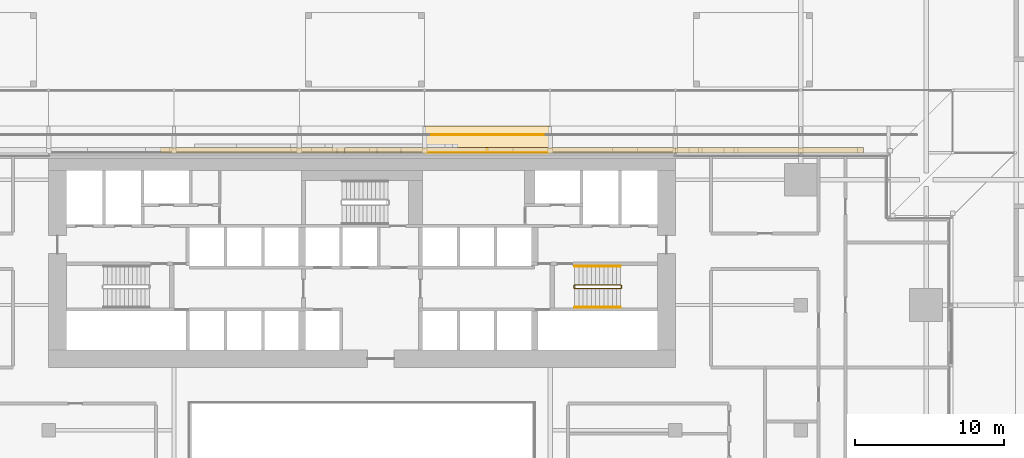
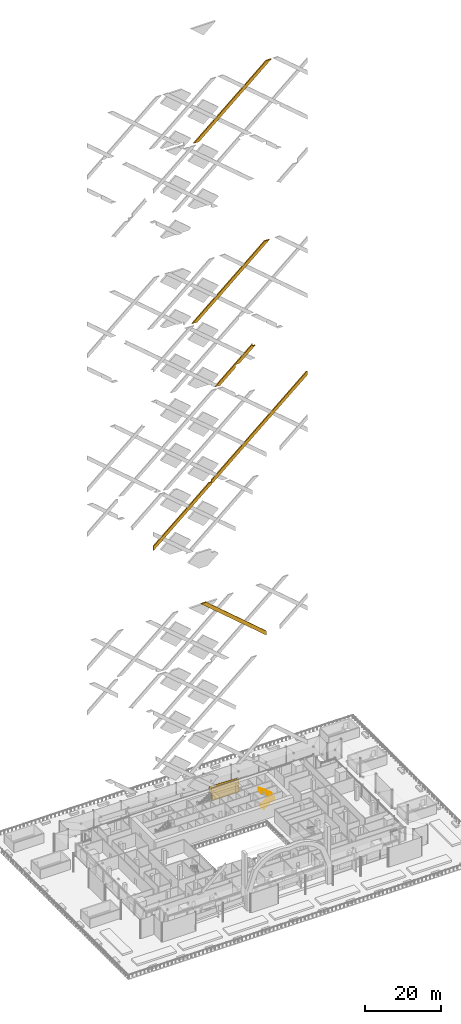
# One storey, part 50 of 60: 7 coverings, 4 railings.
"""IFC4 building model written with IfcOpenShell, lengths in metres."""

from ifc_helpers import new_model, si_unit, direction, frame, origin, origin_2d, place, context, subcontext, project, spatial, polyline, rectangle, circle, outline, extrude, material, layer, layer_set, type_object, element, save


model = new_model("IFC4")

# Units and contexts
model_context = context("Model", 3, precision=1e-05, world=origin(), true_north=direction((0.0, 1.0)))
body_context = subcontext(model_context, "Body", "Model", "MODEL_VIEW")
ifc_project = project(units=[si_unit("LENGTHUNIT", "METRE"), si_unit("AREAUNIT", "SQUARE_METRE"), si_unit("VOLUMEUNIT", "CUBIC_METRE"), si_unit("PLANEANGLEUNIT", "RADIAN"), si_unit("MASSUNIT", "GRAM", prefix="KILO")], contexts=[model_context])

# Site, building, storey
site_placement = place(None, origin())
site = spatial("IfcSite", under=ifc_project, at=site_placement, CompositionType="ELEMENT")
building_placement = place(site_placement, origin())
building = spatial("IfcBuilding", under=site, at=building_placement, Name="Saffron Gate Tower", CompositionType="ELEMENT")
storey_placement = place(building_placement, frame((0.0, 0.0, 19.199951171875)))
storey = spatial("IfcBuildingStorey", under=building, at=storey_placement, Name="L03", CompositionType="ELEMENT", Elevation=19.199951171875)

# Covering
ifc_material_1 = material(Name="Ceramic-printed bronze insulated panel")
ifc_layer_1 = layer(ifc_material_1, 0.0400390625)
ifc_layer_set_1 = layer_set([ifc_layer_1], Name="CLD1 ceramic-printed cladding panel 40")
covering_type_1 = type_object("IfcCoveringType", Name="CLD1 ceramic-printed cladding panel 40", PredefinedType="CLADDING", material=ifc_layer_set_1)
covering_1_placement = place(storey_placement, origin())
element("IfcCovering", 1, at=covering_1_placement, inside=storey, type_object=covering_type_1, Name="CLADDING ceramic-printed panel", PredefinedType="CLADDING", context=body_context, shape_type="SweptSolid", body=[
    extrude(outline(polyline([(100.159912109375, 75.639892578125), (91.840087890625, 75.639892578125), (91.840087890625, 75.60009765625), (100.159912109375, 75.60009765625), (100.159912109375, 75.639892578125)])), origin(), (0.0, 0.0, 1.0), 4.199951171875),
])

# Railings
ifc_material_2 = material(Name="Stainless steel and laminated glass", Category="steel")
railing_type_1 = type_object("IfcRailingType", Name="CR1 Stair guard 1100", PredefinedType="GUARDRAIL", material=ifc_material_2)
railing_1_placement = place(storey_placement, frame((101.800048828125, 66.699951171875, 0.0)))
element("IfcRailing", 2, at=railing_1_placement, inside=storey, type_object=railing_type_1, Name="L03 ST-B stair guard 1", PredefinedType="GUARDRAIL", context=body_context, shape_type="SweptSolid", body=[
    extrude(circle(Radius=0.02392578125, at=origin_2d()), frame((0.0, 0.0, 1.076171875), z_axis=(0.0, -1.0, 0.0), x_axis=(1.0, 0.0, 0.0)), (0.0, 0.0, 1.0), 0.14990234375),
    extrude(circle(Radius=0.02392578125, at=origin_2d()), frame((0.0, -0.14990234375, 1.076171875), z_axis=(0.249726431254, -0.249726431254, 0.935560483917), x_axis=(0.707106781187, 0.707106781187, 0.0)), (0.0, 0.0, 1.0), 0.200439453125),
    extrude(circle(Radius=0.02392578125, at=origin_2d()), frame((0.050048828125, -0.199951171875, 1.263671875), z_axis=(0.830893310487, 0.0, 0.556431762742), x_axis=(0.0, 1.0, 0.0)), (0.0, 0.0, 1.0), 3.70654296875),
    extrude(circle(Radius=0.02392578125, at=origin_2d()), frame((3.1298828125, -0.199951171875, 3.326171875), z_axis=(0.707106781187, 0.707106781187, 0.0), x_axis=(-0.707106781187, 0.707106781187, 0.0)), (0.0, 0.0, 1.0), 0.07080078125),
    extrude(circle(Radius=0.02392578125, at=origin_2d()), frame((3.179931640625, -0.14990234375, 3.326171875), z_axis=(0.0, 1.0, 0.0), x_axis=(-1.0, 0.0, 0.0)), (0.0, 0.0, 1.0), 0.14990234375),
    extrude(circle(Radius=0.02392578125, at=origin_2d()), frame((3.179931640625, 0.0, 3.326171875), z_axis=(-0.249726431254, 0.249726431254, 0.935560483917), x_axis=(-0.707106781187, -0.707106781187, 0.0)), (0.0, 0.0, 1.0), 0.200439453125),
    extrude(circle(Radius=0.02392578125, at=origin_2d()), frame((3.1298828125, 0.050048828125, 3.513671875), z_axis=(-0.830893310487, 0.0, 0.556431762742), x_axis=(0.0, -1.0, 0.0)), (0.0, 0.0, 1.0), 3.70654296875),
    extrude(circle(Radius=0.02099609375, at=origin_2d()), origin(), (0.0, 0.0, 1.0), 1.052001953125),
    extrude(circle(Radius=0.02099609375, at=origin_2d()), frame((0.0, -0.14990234375, 0.0)), (0.0, 0.0, 1.0), 1.052001953125),
    extrude(circle(Radius=0.02099609375, at=origin_2d()), frame((0.050048828125, -0.199951171875, 0.1875)), (0.0, 0.0, 1.0), 1.052001953125),
    extrude(circle(Radius=0.02099609375, at=origin_2d()), frame((0.820068359375, -0.199951171875, 0.703125)), (0.0, 0.0, 1.0), 1.052001953125),
    extrude(circle(Radius=0.02099609375, at=origin_2d()), frame((1.58984375, -0.199951171875, 1.21875)), (0.0, 0.0, 1.0), 1.052001953125),
    extrude(circle(Radius=0.02099609375, at=origin_2d()), frame((2.35986328125, -0.199951171875, 1.734375)), (0.0, 0.0, 1.0), 1.052001953125),
    extrude(circle(Radius=0.02099609375, at=origin_2d()), frame((3.1298828125, -0.199951171875, 2.25)), (0.0, 0.0, 1.0), 1.052001953125),
    extrude(circle(Radius=0.02099609375, at=origin_2d()), frame((3.179931640625, -0.14990234375, 2.25)), (0.0, 0.0, 1.0), 1.052001953125),
    extrude(circle(Radius=0.02099609375, at=origin_2d()), frame((3.179931640625, 0.0, 2.25)), (0.0, 0.0, 1.0), 1.052001953125),
    extrude(circle(Radius=0.02099609375, at=origin_2d()), frame((3.1298828125, 0.050048828125, 2.4375)), (0.0, 0.0, 1.0), 1.052001953125),
    extrude(circle(Radius=0.02099609375, at=origin_2d()), frame((2.35986328125, 0.050048828125, 2.953125)), (0.0, 0.0, 1.0), 1.052001953125),
    extrude(circle(Radius=0.02099609375, at=origin_2d()), frame((1.58984375, 0.050048828125, 3.46875)), (0.0, 0.0, 1.0), 1.052001953125),
    extrude(circle(Radius=0.02099609375, at=origin_2d()), frame((0.820068359375, 0.050048828125, 3.984375)), (0.0, 0.0, 1.0), 1.052001953125),
    extrude(circle(Radius=0.02099609375, at=origin_2d()), frame((0.050048828125, 0.050048828125, 4.5)), (0.0, 0.0, 1.0), 1.052001953125),
])
ifc_material_3 = material(Name="Stainless steel", Category="steel")
railing_type_2 = type_object("IfcRailingType", Name="CR2 Stair handrail 900", PredefinedType="HANDRAIL", material=ifc_material_3)
railing_2_placement = place(storey_placement, frame((101.85009765625, 65.25, 0.1875)))
element("IfcRailing", 3, at=railing_2_placement, inside=storey, type_object=railing_type_2, Name="L03 ST-B stair handrail 1", PredefinedType="HANDRAIL", context=body_context, shape_type="SweptSolid", body=[
    extrude(circle(Radius=0.02392578125, at=origin_2d()), frame((0.0, 0.0, 0.8759765625), z_axis=(0.830893310487, 0.0, 0.556431762742), x_axis=(0.0, 1.0, 0.0)), (0.0, 0.0, 1.0), 3.70654296875),
    extrude(circle(Radius=0.02099609375, at=origin_2d()), origin(), (0.0, 0.0, 1.0), 0.851806640625),
    extrude(circle(Radius=0.02099609375, at=origin_2d()), frame((0.77001953125, 0.0, 0.515625)), (0.0, 0.0, 1.0), 0.851806640625),
    extrude(circle(Radius=0.02099609375, at=origin_2d()), frame((1.5400390625, 0.0, 1.03125)), (0.0, 0.0, 1.0), 0.851806640625),
    extrude(circle(Radius=0.02099609375, at=origin_2d()), frame((2.309814453125, 0.0, 1.546875)), (0.0, 0.0, 1.0), 0.851806640625),
    extrude(circle(Radius=0.02099609375, at=origin_2d()), frame((3.079833984375, 0.0, 2.0625)), (0.0, 0.0, 1.0), 0.851806640625),
])
railing_3_placement = place(storey_placement, frame((104.929931640625, 68.0, 2.4375)))
element("IfcRailing", 4, at=railing_3_placement, inside=storey, type_object=railing_type_2, Name="L03 ST-B stair handrail 2", PredefinedType="HANDRAIL", context=body_context, shape_type="SweptSolid", body=[
    extrude(circle(Radius=0.02392578125, at=origin_2d()), frame((0.0, 0.0, 0.8759765625), z_axis=(-0.830893310487, 0.0, 0.556431762742), x_axis=(0.0, -1.0, 0.0)), (0.0, 0.0, 1.0), 3.70654296875),
    extrude(circle(Radius=0.02099609375, at=origin_2d()), origin(), (0.0, 0.0, 1.0), 0.851806640625),
    extrude(circle(Radius=0.02099609375, at=origin_2d()), frame((-0.77001953125, 0.0, 0.515625)), (0.0, 0.0, 1.0), 0.851806640625),
    extrude(circle(Radius=0.02099609375, at=origin_2d()), frame((-1.5400390625, 0.0, 1.03125)), (0.0, 0.0, 1.0), 0.851806640625),
    extrude(circle(Radius=0.02099609375, at=origin_2d()), frame((-2.309814453125, 0.0, 1.546875)), (0.0, 0.0, 1.0), 0.851806640625),
    extrude(circle(Radius=0.02099609375, at=origin_2d()), frame((-3.079833984375, 0.0, 2.0625)), (0.0, 0.0, 1.0), 0.851806640625),
])

# Covering
ifc_material_4 = material(Name="Timber, thermally modified ash", Category="wood")
ifc_layer_2 = layer(ifc_material_4, 0.800048828125)
ifc_layer_set_2 = layer_set([ifc_layer_2], Name="LD1 ledge timber")
covering_type_2 = type_object("IfcCoveringType", Name="LD1 ledge timber", PredefinedType="CLADDING", material=ifc_layer_set_2)
covering_2_placement = place(storey_placement, frame((100.199951171875, 75.60009765625, 2.18408203125), z_axis=(0.028820203882, 0.0, 0.99958461165), x_axis=(-0.99958461165, 0.0, 0.028820203882)))
element("IfcCovering", 5, at=covering_2_placement, inside=storey, type_object=covering_type_2, Name="LEDGE", PredefinedType="CLADDING", context=body_context, shape_type="SweptSolid", body=[
    extrude(outline(polyline([(0.0, 0.0), (8.40339301530596, 0.0), (8.40339301530596, -1.7998046875), (0.0, -1.7998046875), (0.0, 0.0)])), origin(), (0.0, 0.0, -1.0), 0.800048828125),
])

# Railing
railing_type_3 = type_object("IfcRailingType", Name="LG1 ledge balustrade", PredefinedType="BALUSTRADE", material=ifc_material_4)
railing_4_placement = place(storey_placement, frame((100.199951171875, 76.800048828125, 2.18408203125)))
element("IfcRailing", 6, at=railing_4_placement, inside=storey, type_object=railing_type_3, Name="LEDGE BALUSTRADE", PredefinedType="BALUSTRADE", context=body_context, shape_type="SweptSolid", body=[
    extrude(rectangle(XDim=0.06005859375, YDim=1.60009765625, at=origin_2d()), frame((0.0, 0.0, 0.800048828125), z_axis=(-0.99958461165, 0.0, 0.028820203882), x_axis=(0.0, -1.0, 0.0)), (0.0, 0.0, 1.0), 8.4033203125),
])

# Coverings
ifc_layer_3 = layer(ifc_material_1, 0.35009765625)
ifc_layer_set_3 = layer_set([ifc_layer_3], Name="LZ1 lozenge lattice bar 1600")
covering_type_3 = type_object("IfcCoveringType", Name="LZ1 lozenge lattice bar 1600", PredefinedType="CLADDING", material=ifc_layer_set_3)
covering_3_placement = place(storey_placement, frame((108.60009765625, 75.949951171875, 49.028564453125), z_axis=(0.0, 1.0, 0.0), x_axis=(0.0, 0.0, -1.0)))
element("IfcCovering", 7, at=covering_3_placement, inside=storey, type_object=covering_type_3, Name="CLADDING lozenge lattice bar", PredefinedType="CLADDING", context=body_context, shape_type="SweptSolid", body=[
    extrude(outline(polyline([(0.0, 0.0), (1.371337890625, 0.0), (-15.771484375, 20.0), (-15.771484375, 18.400146484375), (0.0, 0.0)])), origin(), (0.0, 0.0, -1.0), 0.35009765625),
])
covering_4_placement = place(storey_placement, frame((74.10009765625, 75.949951171875, 87.0), z_axis=(0.0, 1.0, 0.0), x_axis=(0.0, 0.0, 1.0)))
element("IfcCovering", 8, at=covering_4_placement, inside=storey, type_object=covering_type_3, Name="CLADDING lozenge lattice bar", PredefinedType="CLADDING", context=body_context, shape_type="SweptSolid", body=[
    extrude(outline(polyline([(0.0, 0.0), (1.37158203125, 0.0), (15.9560546875, 17.01513671875), (15.936279296875, 17.699951171875), (16.54296875, 17.699951171875), (41.4130859375, 46.715087890625), (41.40185546875, 47.099853515625), (40.37158203125, 47.099853515625), (15.524169921875, 18.111328125), (15.535888671875, 17.699951171875), (15.17138671875, 17.699951171875), (0.0, 0.0)])), origin(), (0.0, 0.0, -1.0), 0.35009765625),
])
covering_5_placement = place(storey_placement, frame((94.43603515625, 75.949951171875, 133.23095703125), z_axis=(0.0, 1.0, 0.0), x_axis=(-0.999583684676, 0.0, 0.02885233664)))
element("IfcCovering", 9, at=covering_5_placement, inside=storey, type_object=covering_type_3, Name="CLADDING lozenge lattice bar", PredefinedType="CLADDING", context=body_context, shape_type="SweptSolid", body=[
    extrude(outline(polyline([(0.0, 0.0), (1.5484962252077255, 0.0), (-9.673738604433906, 10.195219623315433), (-9.693729554478699, 9.502636982419325), (-10.48514798450903, 9.525480763601589), (-9.825401481969344, 8.926362128769869), (-9.710459119791025, 8.923044391817402), (-9.713304906900996, 8.824452641668696), (-5.731070043641213, 5.206584843260851), (-4.566516004756002, 5.172970744031199), (-4.595326077230704, 4.174851293268309), (0.0, 0.0)])), origin(), (0.0, 0.0, -1.0), 0.35009765625),
])
covering_6_placement = place(storey_placement, frame((87.47119140625, 75.949951171875, 156.06103515625), z_axis=(0.0, 1.0, 0.0), x_axis=(-0.999583815893, 0.0, 0.028847790303)))
element("IfcCovering", 10, at=covering_6_placement, inside=storey, type_object=covering_type_3, Name="CLADDING lozenge lattice bar", PredefinedType="CLADDING", context=body_context, shape_type="SweptSolid", body=[
    extrude(outline(polyline([(0.0, 0.0), (1.548740264209261, 0.0), (-19.997365725204084, 19.574039889235838), (-21.596797446239464, 19.620199170886913), (0.0, 0.0)])), origin(), (0.0, 0.0, -1.0), 0.35009765625),
])
covering_7_placement = place(storey_placement, frame((87.97900390625, 75.949951171875, 214.096435546875), z_axis=(0.0, 1.0, 0.0), x_axis=(-0.999588219337, 0.0, 0.028694803773)))
element("IfcCovering", 11, at=covering_7_placement, inside=storey, type_object=covering_type_3, Name="CLADDING lozenge lattice bar", PredefinedType="CLADDING", context=body_context, shape_type="SweptSolid", body=[
    extrude(outline(polyline([(0.0, 0.0), (1.548489200410268, 0.0), (-20.017267808157282, 19.586118866217586), (-21.616462535040217, 19.632026348913595), (0.0, 0.0)])), origin(), (0.0, 0.0, -1.0), 0.35009765625),
])

save(model, "model.ifc")
